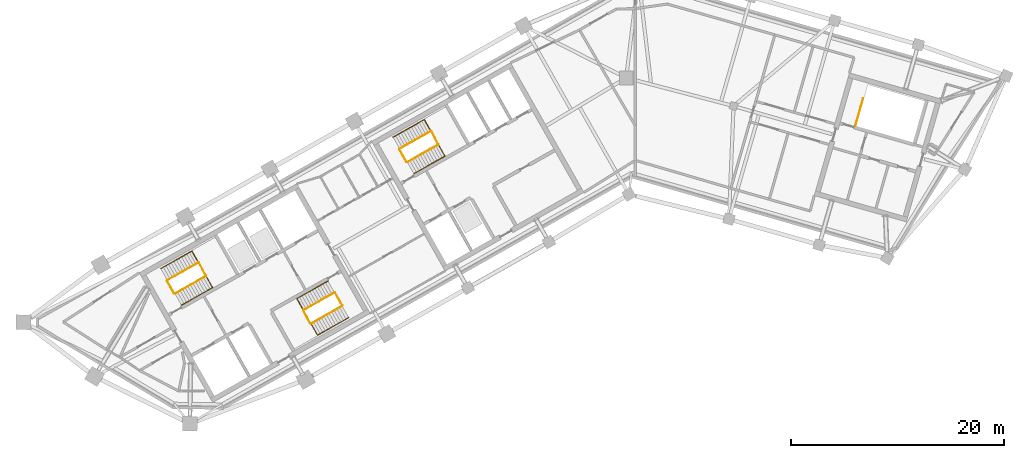
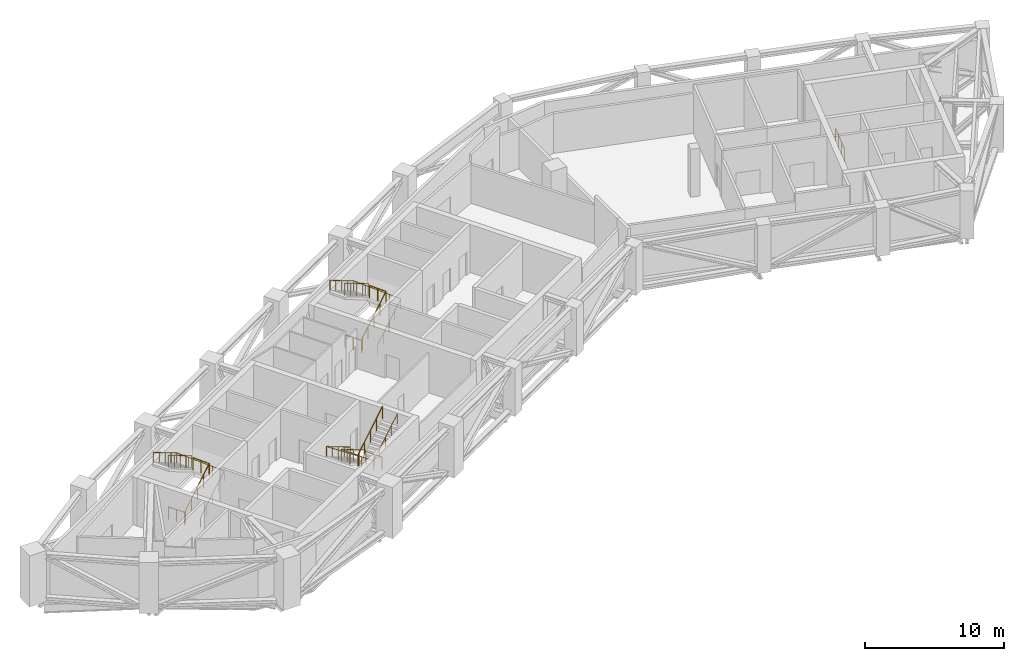
# One storey, part 12 of 13: 13 railings.
"""IFC4 building model written with IfcOpenShell, lengths in metres."""

from ifc_helpers import new_model, si_unit, direction, frame, origin, origin_2d, place, context, subcontext, project, spatial, circle, extrude, material, type_object, element, save


model = new_model("IFC4")

# Units and contexts
model_context = context("Model", 3, precision=1e-05, world=origin(), true_north=direction((0.0, 1.0)))
body_context = subcontext(model_context, "Body", "Model", "MODEL_VIEW")
ifc_project = project(units=[si_unit("LENGTHUNIT", "METRE"), si_unit("AREAUNIT", "SQUARE_METRE"), si_unit("VOLUMEUNIT", "CUBIC_METRE"), si_unit("PLANEANGLEUNIT", "RADIAN"), si_unit("MASSUNIT", "GRAM", prefix="KILO")], contexts=[model_context])

# Site, building, storey
site_placement = place(None, origin())
site = spatial("IfcSite", under=ifc_project, at=site_placement, CompositionType="ELEMENT")
building_placement = place(site_placement, origin())
building = spatial("IfcBuilding", under=site, at=building_placement, Name="Binnacle Exchange Tower", CompositionType="ELEMENT")
storey_placement = place(building_placement, frame((0.0, 0.0, 258.199951171875)))
storey = spatial("IfcBuildingStorey", under=building, at=storey_placement, Name="L57", CompositionType="ELEMENT", Elevation=258.199951171875)

# Railings
ifc_material_1 = material(Name="Steel guard rail", Category="steel")
railing_type_1 = type_object("IfcRailingType", Name="STAIR GUARD 1100", PredefinedType="GUARDRAIL", material=ifc_material_1)
railing_1_placement = place(storey_placement, frame((-43.26171875, 39.71728515625, 0.173095703125)))
element("IfcRailing", 1, at=railing_1_placement, inside=storey, type_object=railing_type_1, Name="L57 STA1 stair guard 1", PredefinedType="GUARDRAIL", context=body_context, shape_type="SweptSolid", body=[
    extrude(circle(Radius=0.02392578125, at=origin_2d()), frame((0.0, 0.0, 1.076171875), z_axis=(0.740329379538, 0.418868943491, 0.525795794935), x_axis=(-0.492433119026, 0.870350287693, 0.0)), (0.0, 0.0, 1.0), 3.949951171875),
    extrude(circle(Radius=0.02392578125, at=origin_2d()), frame((2.92431640625, 1.654541015625, 3.15283203125), z_axis=(-0.460963092712, 0.887419307406, 0.0), x_axis=(-0.887419307406, -0.460963092712, 0.0)), (0.0, 0.0, 1.0), 1.40087890625),
    extrude(circle(Radius=0.02099609375, at=origin_2d()), origin(), (0.0, 0.0, 1.0), 1.052001953125),
    extrude(circle(Radius=0.02099609375, at=origin_2d()), frame((0.73095703125, 0.41357421875, 0.519287109375)), (0.0, 0.0, 1.0), 1.052001953125),
    extrude(circle(Radius=0.02099609375, at=origin_2d()), frame((1.462158203125, 0.8271484375, 1.03857421875)), (0.0, 0.0, 1.0), 1.052001953125),
    extrude(circle(Radius=0.02099609375, at=origin_2d()), frame((2.193359375, 1.240966796875, 1.5576171875)), (0.0, 0.0, 1.0), 1.052001953125),
    extrude(circle(Radius=0.02099609375, at=origin_2d()), frame((2.92431640625, 1.654541015625, 2.076904296875)), (0.0, 0.0, 1.0), 1.052001953125),
    extrude(circle(Radius=0.02099609375, at=origin_2d()), frame((2.6015625, 2.276123046875, 2.076904296875)), (0.0, 0.0, 1.0), 1.052001953125),
    extrude(circle(Radius=0.02099609375, at=origin_2d()), frame((2.278564453125, 2.897705078125, 2.076904296875)), (0.0, 0.0, 1.0), 1.052001953125),
])
railing_2_placement = place(storey_placement, frame((-41.05126953125, 42.6337890625, 2.423095703125)))
element("IfcRailing", 2, at=railing_2_placement, inside=storey, type_object=railing_type_1, Name="L57 STA1 stair guard 2", PredefinedType="GUARDRAIL", context=body_context, shape_type="SweptSolid", body=[
    extrude(circle(Radius=0.02392578125, at=origin_2d()), frame((0.0, 0.0, 1.076171875), z_axis=(-0.740357309165, -0.418849777462, 0.525771736294), x_axis=(0.49240197835, -0.870367905955, 0.0)), (0.0, 0.0, 1.0), 3.9501953125),
    extrude(circle(Radius=0.02099609375, at=origin_2d()), origin(), (0.0, 0.0, 1.0), 1.052001953125),
    extrude(circle(Radius=0.02099609375, at=origin_2d()), frame((-0.731201171875, -0.41357421875, 0.519287109375)), (0.0, 0.0, 1.0), 1.052001953125),
    extrude(circle(Radius=0.02099609375, at=origin_2d()), frame((-1.46240234375, -0.8271484375, 1.03857421875)), (0.0, 0.0, 1.0), 1.052001953125),
    extrude(circle(Radius=0.02099609375, at=origin_2d()), frame((-2.193359375, -1.240966796875, 1.5576171875)), (0.0, 0.0, 1.0), 1.052001953125),
    extrude(circle(Radius=0.02099609375, at=origin_2d()), frame((-2.924560546875, -1.654541015625, 2.076904296875)), (0.0, 0.0, 1.0), 1.052001953125),
])
railing_3_placement = place(storey_placement, frame((-43.329833984375, 39.736328125, 0.0)))
element("IfcRailing", 3, at=railing_3_placement, inside=storey, type_object=railing_type_1, Name="L57 STA1 stair guard 3", PredefinedType="GUARDRAIL", context=body_context, shape_type="SweptSolid", body=[
    extrude(circle(Radius=0.02392578125, at=origin_2d()), frame((0.0, 0.0, 1.076171875), z_axis=(-0.4924922531, 0.870316827734, 0.0), x_axis=(-0.870316827734, -0.4924922531, 0.0)), (0.0, 0.0, 1.0), 1.349853515625),
    extrude(circle(Radius=0.02099609375, at=origin_2d()), origin(), (0.0, 0.0, 1.0), 1.052001953125),
    extrude(circle(Radius=0.02099609375, at=origin_2d()), frame((-0.33251953125, 0.58740234375, 0.0)), (0.0, 0.0, 1.0), 1.052001953125),
    extrude(circle(Radius=0.02099609375, at=origin_2d()), frame((-0.664794921875, 1.1748046875, 0.0)), (0.0, 0.0, 1.0), 1.052001953125),
])
railing_4_placement = place(storey_placement, frame((-28.265380859375, 39.814453125, 0.173095703125)))
element("IfcRailing", 4, at=railing_4_placement, inside=storey, type_object=railing_type_1, Name="L57 STA2 stair guard 1", PredefinedType="GUARDRAIL", context=body_context, shape_type="SweptSolid", body=[
    extrude(circle(Radius=0.02392578125, at=origin_2d()), frame((0.0, 0.0, 1.076171875), z_axis=(-0.740357309165, -0.418849777462, 0.525771736294), x_axis=(0.49240197835, -0.870367905955, 0.0)), (0.0, 0.0, 1.0), 3.9501953125),
    extrude(circle(Radius=0.02392578125, at=origin_2d()), frame((-2.924560546875, -1.654541015625, 3.15283203125), z_axis=(0.461100321709, -0.887348011391, 0.0), x_axis=(0.887348011391, 0.461100321709, 0.0)), (0.0, 0.0, 1.0), 1.40087890625),
    extrude(circle(Radius=0.02099609375, at=origin_2d()), origin(), (0.0, 0.0, 1.0), 1.052001953125),
    extrude(circle(Radius=0.02099609375, at=origin_2d()), frame((-0.731201171875, -0.41357421875, 0.519287109375)), (0.0, 0.0, 1.0), 1.052001953125),
    extrude(circle(Radius=0.02099609375, at=origin_2d()), frame((-1.46240234375, -0.8271484375, 1.03857421875)), (0.0, 0.0, 1.0), 1.052001953125),
    extrude(circle(Radius=0.02099609375, at=origin_2d()), frame((-2.193359375, -1.240966796875, 1.5576171875)), (0.0, 0.0, 1.0), 1.052001953125),
    extrude(circle(Radius=0.02099609375, at=origin_2d()), frame((-2.924560546875, -1.654541015625, 2.076904296875)), (0.0, 0.0, 1.0), 1.052001953125),
    extrude(circle(Radius=0.02099609375, at=origin_2d()), frame((-2.6015625, -2.276123046875, 2.076904296875)), (0.0, 0.0, 1.0), 1.052001953125),
    extrude(circle(Radius=0.02099609375, at=origin_2d()), frame((-2.278564453125, -2.897705078125, 2.076904296875)), (0.0, 0.0, 1.0), 1.052001953125),
])
railing_5_placement = place(storey_placement, frame((-30.475830078125, 36.89794921875, 2.423095703125)))
element("IfcRailing", 5, at=railing_5_placement, inside=storey, type_object=railing_type_1, Name="L57 STA2 stair guard 2", PredefinedType="GUARDRAIL", context=body_context, shape_type="SweptSolid", body=[
    extrude(circle(Radius=0.02392578125, at=origin_2d()), frame((0.0, 0.0, 1.076171875), z_axis=(0.740329379538, 0.418868943491, 0.525795794935), x_axis=(-0.492433119026, 0.870350287693, 0.0)), (0.0, 0.0, 1.0), 3.949951171875),
    extrude(circle(Radius=0.02099609375, at=origin_2d()), origin(), (0.0, 0.0, 1.0), 1.052001953125),
    extrude(circle(Radius=0.02099609375, at=origin_2d()), frame((0.73095703125, 0.41357421875, 0.519287109375)), (0.0, 0.0, 1.0), 1.052001953125),
    extrude(circle(Radius=0.02099609375, at=origin_2d()), frame((1.462158203125, 0.8271484375, 1.03857421875)), (0.0, 0.0, 1.0), 1.052001953125),
    extrude(circle(Radius=0.02099609375, at=origin_2d()), frame((2.193359375, 1.240966796875, 1.5576171875)), (0.0, 0.0, 1.0), 1.052001953125),
    extrude(circle(Radius=0.02099609375, at=origin_2d()), frame((2.92431640625, 1.654541015625, 2.076904296875)), (0.0, 0.0, 1.0), 1.052001953125),
])
railing_6_placement = place(storey_placement, frame((-28.197265625, 39.795654296875, 0.0)))
element("IfcRailing", 6, at=railing_6_placement, inside=storey, type_object=railing_type_1, Name="L57 STA2 stair guard 3", PredefinedType="GUARDRAIL", context=body_context, shape_type="SweptSolid", body=[
    extrude(circle(Radius=0.02392578125, at=origin_2d()), frame((0.0, 0.0, 1.076171875), z_axis=(0.49241474071, -0.870360685654, 0.0), x_axis=(0.870360685654, 0.49241474071, 0.0)), (0.0, 0.0, 1.0), 1.35009765625),
    extrude(circle(Radius=0.02099609375, at=origin_2d()), origin(), (0.0, 0.0, 1.0), 1.052001953125),
    extrude(circle(Radius=0.02099609375, at=origin_2d()), frame((0.33251953125, -0.58740234375, 0.0)), (0.0, 0.0, 1.0), 1.052001953125),
    extrude(circle(Radius=0.02099609375, at=origin_2d()), frame((0.664794921875, -1.175048828125, 0.0)), (0.0, 0.0, 1.0), 1.052001953125),
])
railing_7_placement = place(storey_placement, frame((-21.423828125, 52.07275390625, 0.173095703125)))
element("IfcRailing", 7, at=railing_7_placement, inside=storey, type_object=railing_type_1, Name="L57 STC1 stair guard 1", PredefinedType="GUARDRAIL", context=body_context, shape_type="SweptSolid", body=[
    extrude(circle(Radius=0.02392578125, at=origin_2d()), frame((0.0, 0.0, 1.076171875), z_axis=(0.740357309165, 0.418849777462, 0.525771736294), x_axis=(-0.49240197835, 0.870367905955, 0.0)), (0.0, 0.0, 1.0), 3.9501953125),
    extrude(circle(Radius=0.02392578125, at=origin_2d()), frame((2.924560546875, 1.654541015625, 3.15283203125), z_axis=(-0.461171632143, 0.887310952094, 0.0), x_axis=(-0.887310952094, -0.461171632143, 0.0)), (0.0, 0.0, 1.0), 1.40087890625),
    extrude(circle(Radius=0.02099609375, at=origin_2d()), origin(), (0.0, 0.0, 1.0), 1.052001953125),
    extrude(circle(Radius=0.02099609375, at=origin_2d()), frame((0.731201171875, 0.41357421875, 0.519287109375)), (0.0, 0.0, 1.0), 1.052001953125),
    extrude(circle(Radius=0.02099609375, at=origin_2d()), frame((1.46240234375, 0.8271484375, 1.03857421875)), (0.0, 0.0, 1.0), 1.052001953125),
    extrude(circle(Radius=0.02099609375, at=origin_2d()), frame((2.193359375, 1.240966796875, 1.5576171875)), (0.0, 0.0, 1.0), 1.052001953125),
    extrude(circle(Radius=0.02099609375, at=origin_2d()), frame((2.924560546875, 1.654541015625, 2.076904296875)), (0.0, 0.0, 1.0), 1.052001953125),
    extrude(circle(Radius=0.02099609375, at=origin_2d()), frame((2.6015625, 2.27587890625, 2.076904296875)), (0.0, 0.0, 1.0), 1.052001953125),
    extrude(circle(Radius=0.02099609375, at=origin_2d()), frame((2.278564453125, 2.8974609375, 2.076904296875)), (0.0, 0.0, 1.0), 1.052001953125),
])
railing_8_placement = place(storey_placement, frame((-19.21337890625, 54.9892578125, 2.423095703125)))
element("IfcRailing", 8, at=railing_8_placement, inside=storey, type_object=railing_type_1, Name="L57 STC1 stair guard 2", PredefinedType="GUARDRAIL", context=body_context, shape_type="SweptSolid", body=[
    extrude(circle(Radius=0.02392578125, at=origin_2d()), frame((0.0, 0.0, 1.076171875), z_axis=(-0.740329379538, -0.418868943491, 0.525795794935), x_axis=(0.492433119026, -0.870350287693, 0.0)), (0.0, 0.0, 1.0), 3.949951171875),
    extrude(circle(Radius=0.02099609375, at=origin_2d()), origin(), (0.0, 0.0, 1.0), 1.052001953125),
    extrude(circle(Radius=0.02099609375, at=origin_2d()), frame((-0.73095703125, -0.41357421875, 0.519287109375)), (0.0, 0.0, 1.0), 1.052001953125),
    extrude(circle(Radius=0.02099609375, at=origin_2d()), frame((-1.462158203125, -0.8271484375, 1.03857421875)), (0.0, 0.0, 1.0), 1.052001953125),
    extrude(circle(Radius=0.02099609375, at=origin_2d()), frame((-2.193359375, -1.240966796875, 1.5576171875)), (0.0, 0.0, 1.0), 1.052001953125),
    extrude(circle(Radius=0.02099609375, at=origin_2d()), frame((-2.92431640625, -1.654541015625, 2.076904296875)), (0.0, 0.0, 1.0), 1.052001953125),
])
railing_9_placement = place(storey_placement, frame((-21.491943359375, 52.091552734375, 0.0)))
element("IfcRailing", 9, at=railing_9_placement, inside=storey, type_object=railing_type_1, Name="L57 STC1 stair guard 3", PredefinedType="GUARDRAIL", context=body_context, shape_type="SweptSolid", body=[
    extrude(circle(Radius=0.02392578125, at=origin_2d()), frame((0.0, 0.0, 1.076171875), z_axis=(-0.49241474071, 0.870360685654, 0.0), x_axis=(-0.870360685654, -0.49241474071, 0.0)), (0.0, 0.0, 1.0), 1.35009765625),
    extrude(circle(Radius=0.02099609375, at=origin_2d()), origin(), (0.0, 0.0, 1.0), 1.052001953125),
    extrude(circle(Radius=0.02099609375, at=origin_2d()), frame((-0.33251953125, 0.58740234375, 0.0)), (0.0, 0.0, 1.0), 1.052001953125),
    extrude(circle(Radius=0.02099609375, at=origin_2d()), frame((-0.664794921875, 1.175048828125, 0.0)), (0.0, 0.0, 1.0), 1.052001953125),
])
railing_10_placement = place(storey_placement, frame((20.68017578125, 55.474365234375, 0.0)))
element("IfcRailing", 10, at=railing_10_placement, inside=storey, type_object=railing_type_1, Name="L57 STD1 top well guard 1", PredefinedType="GUARDRAIL", context=body_context, shape_type="SweptSolid", body=[
    extrude(circle(Radius=0.02392578125, at=origin_2d()), frame((0.0, 0.0, 1.076171875), z_axis=(0.275688304288, 0.961247085238, 0.0), x_axis=(-0.961247085238, 0.275688304288, 0.0)), (0.0, 0.0, 1.0), 2.7001953125),
    extrude(circle(Radius=0.02099609375, at=origin_2d()), origin(), (0.0, 0.0, 1.0), 1.052001953125),
    extrude(circle(Radius=0.02099609375, at=origin_2d()), frame((0.248046875, 0.865234375, 0.0)), (0.0, 0.0, 1.0), 1.052001953125),
    extrude(circle(Radius=0.02099609375, at=origin_2d()), frame((0.496337890625, 1.730224609375, 0.0)), (0.0, 0.0, 1.0), 1.052001953125),
    extrude(circle(Radius=0.02099609375, at=origin_2d()), frame((0.744384765625, 2.595458984375, 0.0)), (0.0, 0.0, 1.0), 1.052001953125),
])
ifc_material_2 = material(Name="Steel handrail", Category="steel")
railing_type_2 = type_object("IfcRailingType", Name="STAIR HANDRAIL 900", PredefinedType="HANDRAIL", material=ifc_material_2)
railing_11_placement = place(storey_placement, frame((-42.646240234375, 38.62939453125, 0.173095703125)))
element("IfcRailing", 11, at=railing_11_placement, inside=storey, type_object=railing_type_2, Name="L57 STA1 stair handrail 1", PredefinedType="HANDRAIL", context=body_context, shape_type="SweptSolid", body=[
    extrude(circle(Radius=0.02392578125, at=origin_2d()), frame((0.0, 0.0, 0.8759765625), z_axis=(0.740329379538, 0.418868943491, 0.525795794935), x_axis=(-0.492433119026, 0.870350287693, 0.0)), (0.0, 0.0, 1.0), 3.949951171875),
    extrude(circle(Radius=0.02392578125, at=origin_2d()), frame((2.92431640625, 1.654541015625, 2.95263671875), z_axis=(-0.491941517555, 0.869526854551, 0.043778904976), x_axis=(-0.870361318571, -0.492413622004, 0.0)), (0.0, 0.0, 1.0), 3.953857421875),
    extrude(circle(Radius=0.02392578125, at=origin_2d()), frame((0.979248046875, 5.092529296875, 3.1259765625), z_axis=(-0.740329379538, -0.418868943491, 0.525795794935), x_axis=(0.492433119026, -0.870350287693, 0.0)), (0.0, 0.0, 1.0), 3.949951171875),
    extrude(circle(Radius=0.02099609375, at=origin_2d()), origin(), (0.0, 0.0, 1.0), 0.851806640625),
    extrude(circle(Radius=0.02099609375, at=origin_2d()), frame((0.73095703125, 0.41357421875, 0.519287109375)), (0.0, 0.0, 1.0), 0.851806640625),
    extrude(circle(Radius=0.02099609375, at=origin_2d()), frame((1.462158203125, 0.8271484375, 1.03857421875)), (0.0, 0.0, 1.0), 0.851806640625),
    extrude(circle(Radius=0.02099609375, at=origin_2d()), frame((2.193359375, 1.240966796875, 1.5576171875)), (0.0, 0.0, 1.0), 0.851806640625),
    extrude(circle(Radius=0.02099609375, at=origin_2d()), frame((2.92431640625, 1.654541015625, 2.076904296875)), (0.0, 0.0, 1.0), 0.851806640625),
    extrude(circle(Radius=0.02099609375, at=origin_2d()), frame((2.43798828125, 2.51416015625, 2.1201171875)), (0.0, 0.0, 1.0), 0.851806640625),
    extrude(circle(Radius=0.02099609375, at=origin_2d()), frame((1.95166015625, 3.37353515625, 2.16357421875)), (0.0, 0.0, 1.0), 0.851806640625),
    extrude(circle(Radius=0.02099609375, at=origin_2d()), frame((1.465576171875, 4.23291015625, 2.206787109375)), (0.0, 0.0, 1.0), 0.851806640625),
    extrude(circle(Radius=0.02099609375, at=origin_2d()), frame((0.979248046875, 5.092529296875, 2.25)), (0.0, 0.0, 1.0), 0.851806640625),
    extrude(circle(Radius=0.02099609375, at=origin_2d()), frame((0.248046875, 4.678955078125, 2.769287109375)), (0.0, 0.0, 1.0), 0.851806640625),
    extrude(circle(Radius=0.02099609375, at=origin_2d()), frame((-0.48291015625, 4.26513671875, 3.28857421875)), (0.0, 0.0, 1.0), 0.851806640625),
    extrude(circle(Radius=0.02099609375, at=origin_2d()), frame((-1.2138671875, 3.8515625, 3.8076171875)), (0.0, 0.0, 1.0), 0.851806640625),
    extrude(circle(Radius=0.02099609375, at=origin_2d()), frame((-1.945068359375, 3.43798828125, 4.326904296875)), (0.0, 0.0, 1.0), 0.851806640625),
])
railing_12_placement = place(storey_placement, frame((-28.880859375, 40.90234375, 0.173095703125)))
element("IfcRailing", 12, at=railing_12_placement, inside=storey, type_object=railing_type_2, Name="L57 STA2 stair handrail 1", PredefinedType="HANDRAIL", context=body_context, shape_type="SweptSolid", body=[
    extrude(circle(Radius=0.02392578125, at=origin_2d()), frame((0.0, 0.0, 0.8759765625), z_axis=(-0.740357309165, -0.418849777462, 0.525771736294), x_axis=(0.49240197835, -0.870367905955, 0.0)), (0.0, 0.0, 1.0), 3.9501953125),
    extrude(circle(Radius=0.02392578125, at=origin_2d()), frame((-2.924560546875, -1.654541015625, 2.95263671875), z_axis=(0.491967931586, -0.869511791724, 0.043781255616), x_axis=(0.87034633103, 0.492440112159, 0.0)), (0.0, 0.0, 1.0), 3.95361328125),
    extrude(circle(Radius=0.02392578125, at=origin_2d()), frame((-0.9794921875, -5.09228515625, 3.1259765625), z_axis=(0.740357309165, 0.418849777462, 0.525771736294), x_axis=(-0.49240197835, 0.870367905955, 0.0)), (0.0, 0.0, 1.0), 3.9501953125),
    extrude(circle(Radius=0.02099609375, at=origin_2d()), origin(), (0.0, 0.0, 1.0), 0.851806640625),
    extrude(circle(Radius=0.02099609375, at=origin_2d()), frame((-0.731201171875, -0.41357421875, 0.519287109375)), (0.0, 0.0, 1.0), 0.851806640625),
    extrude(circle(Radius=0.02099609375, at=origin_2d()), frame((-1.46240234375, -0.8271484375, 1.03857421875)), (0.0, 0.0, 1.0), 0.851806640625),
    extrude(circle(Radius=0.02099609375, at=origin_2d()), frame((-2.193359375, -1.240966796875, 1.5576171875)), (0.0, 0.0, 1.0), 0.851806640625),
    extrude(circle(Radius=0.02099609375, at=origin_2d()), frame((-2.924560546875, -1.654541015625, 2.076904296875)), (0.0, 0.0, 1.0), 0.851806640625),
    extrude(circle(Radius=0.02099609375, at=origin_2d()), frame((-2.438232421875, -2.513916015625, 2.1201171875)), (0.0, 0.0, 1.0), 0.851806640625),
    extrude(circle(Radius=0.02099609375, at=origin_2d()), frame((-1.9521484375, -3.37353515625, 2.16357421875)), (0.0, 0.0, 1.0), 0.851806640625),
    extrude(circle(Radius=0.02099609375, at=origin_2d()), frame((-1.4658203125, -4.23291015625, 2.206787109375)), (0.0, 0.0, 1.0), 0.851806640625),
    extrude(circle(Radius=0.02099609375, at=origin_2d()), frame((-0.9794921875, -5.09228515625, 2.25)), (0.0, 0.0, 1.0), 0.851806640625),
    extrude(circle(Radius=0.02099609375, at=origin_2d()), frame((-0.248291015625, -4.6787109375, 2.769287109375)), (0.0, 0.0, 1.0), 0.851806640625),
    extrude(circle(Radius=0.02099609375, at=origin_2d()), frame((0.48291015625, -4.26513671875, 3.28857421875)), (0.0, 0.0, 1.0), 0.851806640625),
    extrude(circle(Radius=0.02099609375, at=origin_2d()), frame((1.2138671875, -3.851318359375, 3.8076171875)), (0.0, 0.0, 1.0), 0.851806640625),
    extrude(circle(Radius=0.02099609375, at=origin_2d()), frame((1.945068359375, -3.437744140625, 4.326904296875)), (0.0, 0.0, 1.0), 0.851806640625),
])
railing_13_placement = place(storey_placement, frame((-20.808349609375, 50.984619140625, 0.173095703125)))
element("IfcRailing", 13, at=railing_13_placement, inside=storey, type_object=railing_type_2, Name="L57 STC1 stair handrail 1", PredefinedType="HANDRAIL", context=body_context, shape_type="SweptSolid", body=[
    extrude(circle(Radius=0.02392578125, at=origin_2d()), frame((0.0, 0.0, 0.8759765625), z_axis=(0.740357309165, 0.418849777462, 0.525771736294), x_axis=(-0.49240197835, 0.870367905955, 0.0)), (0.0, 0.0, 1.0), 3.9501953125),
    extrude(circle(Radius=0.02392578125, at=origin_2d()), frame((2.924560546875, 1.654541015625, 2.95263671875), z_axis=(-0.491941517555, 0.869526854551, 0.043778904976), x_axis=(-0.870361318571, -0.492413622004, 0.0)), (0.0, 0.0, 1.0), 3.953857421875),
    extrude(circle(Radius=0.02392578125, at=origin_2d()), frame((0.9794921875, 5.092529296875, 3.1259765625), z_axis=(-0.740357309165, -0.418849777462, 0.525771736294), x_axis=(0.49240197835, -0.870367905955, 0.0)), (0.0, 0.0, 1.0), 3.9501953125),
    extrude(circle(Radius=0.02099609375, at=origin_2d()), origin(), (0.0, 0.0, 1.0), 0.851806640625),
    extrude(circle(Radius=0.02099609375, at=origin_2d()), frame((0.731201171875, 0.41357421875, 0.519287109375)), (0.0, 0.0, 1.0), 0.851806640625),
    extrude(circle(Radius=0.02099609375, at=origin_2d()), frame((1.46240234375, 0.8271484375, 1.03857421875)), (0.0, 0.0, 1.0), 0.851806640625),
    extrude(circle(Radius=0.02099609375, at=origin_2d()), frame((2.193359375, 1.240966796875, 1.5576171875)), (0.0, 0.0, 1.0), 0.851806640625),
    extrude(circle(Radius=0.02099609375, at=origin_2d()), frame((2.924560546875, 1.654541015625, 2.076904296875)), (0.0, 0.0, 1.0), 0.851806640625),
    extrude(circle(Radius=0.02099609375, at=origin_2d()), frame((2.438232421875, 2.51416015625, 2.1201171875)), (0.0, 0.0, 1.0), 0.851806640625),
    extrude(circle(Radius=0.02099609375, at=origin_2d()), frame((1.9521484375, 3.37353515625, 2.16357421875)), (0.0, 0.0, 1.0), 0.851806640625),
    extrude(circle(Radius=0.02099609375, at=origin_2d()), frame((1.4658203125, 4.23291015625, 2.206787109375)), (0.0, 0.0, 1.0), 0.851806640625),
    extrude(circle(Radius=0.02099609375, at=origin_2d()), frame((0.9794921875, 5.092529296875, 2.25)), (0.0, 0.0, 1.0), 0.851806640625),
    extrude(circle(Radius=0.02099609375, at=origin_2d()), frame((0.248291015625, 4.678955078125, 2.769287109375)), (0.0, 0.0, 1.0), 0.851806640625),
    extrude(circle(Radius=0.02099609375, at=origin_2d()), frame((-0.48291015625, 4.26513671875, 3.28857421875)), (0.0, 0.0, 1.0), 0.851806640625),
    extrude(circle(Radius=0.02099609375, at=origin_2d()), frame((-1.2138671875, 3.8515625, 3.8076171875)), (0.0, 0.0, 1.0), 0.851806640625),
    extrude(circle(Radius=0.02099609375, at=origin_2d()), frame((-1.945068359375, 3.43798828125, 4.326904296875)), (0.0, 0.0, 1.0), 0.851806640625),
])

save(model, "model.ifc")
